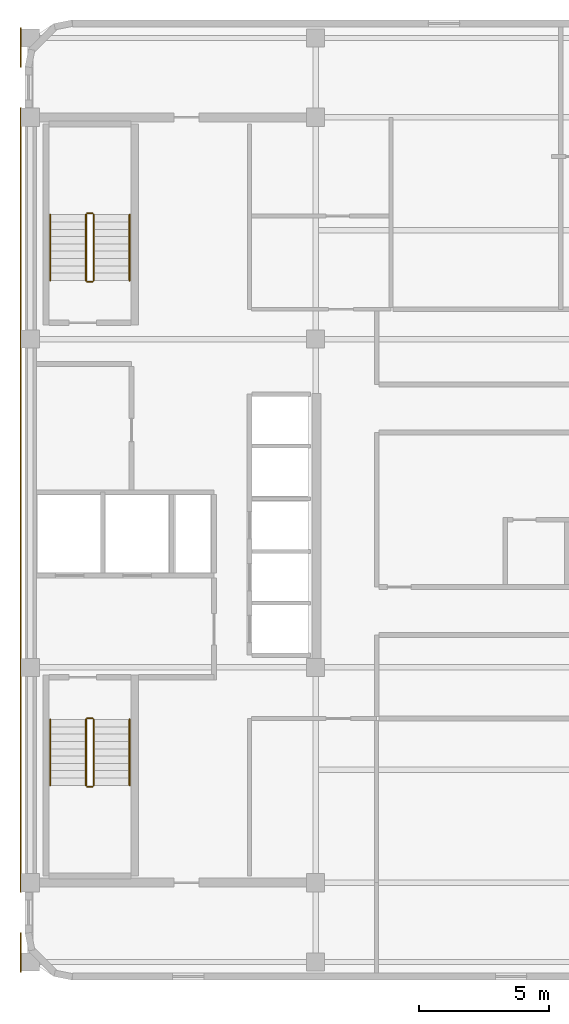
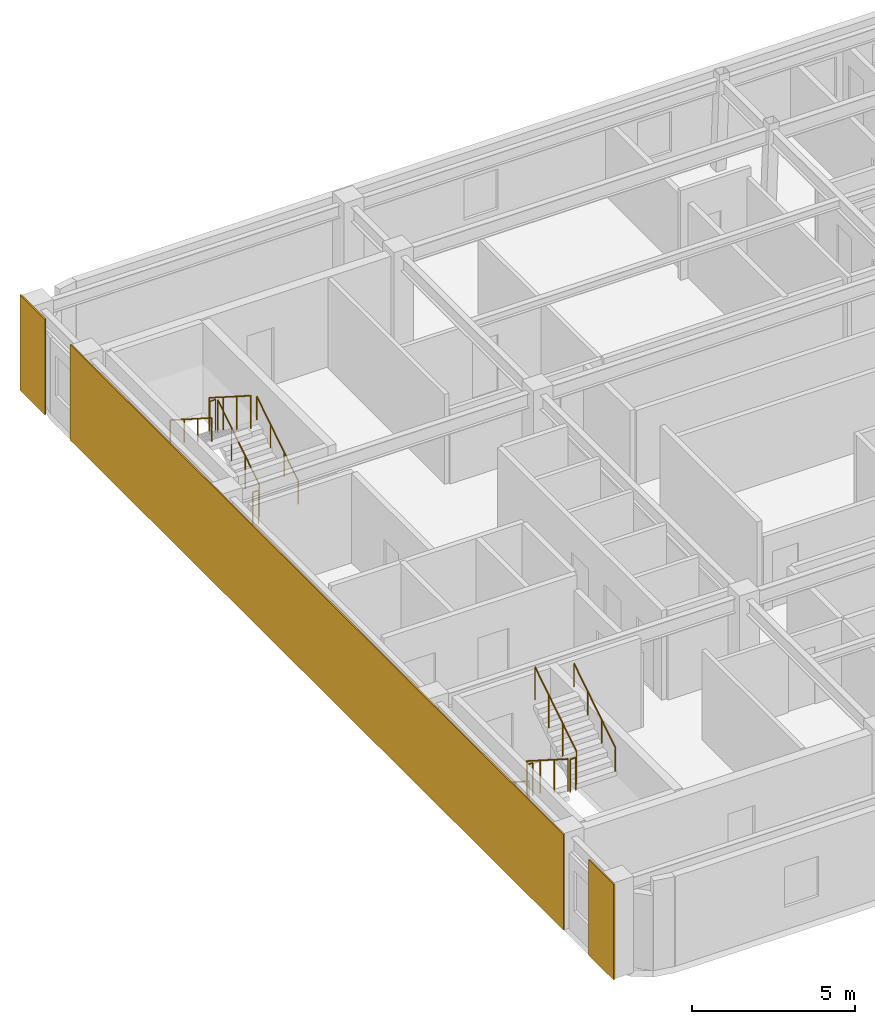
# One storey, part 7 of 7: 12 railings, 3 coverings.
"""IFC4 building model written with IfcOpenShell, lengths in metres."""

from ifc_helpers import new_model, si_unit, direction, frame, origin, origin_2d, place, context, subcontext, project, spatial, rectangle, circle, extrude, material, layer, layer_set, type_object, element, save


model = new_model("IFC4")

# Units and contexts
model_context = context("Model", 3, precision=1e-05, world=origin(), true_north=direction((0.0, 1.0)))
body_context = subcontext(model_context, "Body", "Model", "MODEL_VIEW")
ifc_project = project(units=[si_unit("LENGTHUNIT", "METRE"), si_unit("AREAUNIT", "SQUARE_METRE"), si_unit("VOLUMEUNIT", "CUBIC_METRE"), si_unit("PLANEANGLEUNIT", "RADIAN"), si_unit("MASSUNIT", "GRAM", prefix="KILO")], contexts=[model_context])

# Site, building, storey
site_placement = place(None, origin())
site = spatial("IfcSite", under=ifc_project, at=site_placement, CompositionType="ELEMENT")
building_placement = place(site_placement, origin())
building = spatial("IfcBuilding", under=site, at=building_placement, Name="Ochreholt Gables", CompositionType="ELEMENT")
storey_placement = place(building_placement, frame((0.0, 0.0, 238.800048828125)))
storey = spatial("IfcBuildingStorey", under=building, at=storey_placement, Name="L62", CompositionType="ELEMENT", Elevation=238.800048828125)

# Coverings
ifc_material_1 = material(Name="Glazed Ochre Terracotta Rainscreen Cladding", Category="masonry")
ifc_layer = layer(ifc_material_1, 0.044921875, Name="Glazed Ochre Terracotta Rainscreen Cladding")
ifc_layer_set = layer_set([ifc_layer], Name="Glazed Ochre Terracotta Rainscreen Cladding")
covering_type = type_object("IfcCoveringType", Name="COV-CLAD-TC", PredefinedType="CLADDING", material=ifc_layer_set)
covering_placement = place(storey_placement, frame((23.827880859375, 24.0, 0.010009765625), z_axis=(0.0, 0.0, 1.0), x_axis=(0.0, 1.0, 0.0)))
element("IfcCovering", 1, at=covering_placement, inside=storey, type_object=covering_type, Name="L62 West Core Terracotta Rainscreen Cladding", PredefinedType="CLADDING", context=body_context, shape_type="SweptSolid", body=[
    extrude(rectangle(XDim=30.239990234375, YDim=0.044921875, at=origin_2d()), origin(), (0.0, 0.0, 1.0), 3.580078125),
])
for number, where, z_axis, x_axis, name in (
    (2, (23.827880859375, 6.56005859375, 0.010009765625), (0.0, 0.0, 1.0), (0.0, 1.0, 0.0), "L62 South-West Pier Terracotta Cladding"),
    (3, (23.827880859375, 41.43994140625, 0.010009765625), (0.0, 0.0, 1.0), (0.0, 1.0, 0.0), "L62 North-West Pier Terracotta Cladding"),
):
    element("IfcCovering", number, at=place(storey_placement, frame(where, z_axis=z_axis, x_axis=x_axis)), inside=storey, type_object=covering_type, Name=name, PredefinedType="CLADDING", context=body_context, shape_type="SweptSolid", body=[
        extrude(rectangle(XDim=1.52001953125, YDim=0.044921875, at=origin_2d()), origin(), (0.0, 0.0, 1.0), 3.580078125),
    ])

# Railings
ifc_material_2 = material(Name="Painted Steel Stair Guardrail", Category="steel")
railing_type_1 = type_object("IfcRailingType", Name="RL-ST-GUARD", PredefinedType="GUARDRAIL", material=ifc_material_2)
railing_1_placement = place(storey_placement, frame((26.35009765625, 15.5400390625, 0.179931640625)))
element("IfcRailing", 4, at=railing_1_placement, inside=storey, type_object=railing_type_1, Name="L62 ST-1 stair guard 1", PredefinedType="GUARDRAIL", context=body_context, shape_type="SweptSolid", body=[
    extrude(circle(Radius=0.02392578125, at=origin_2d()), frame((0.0, 0.0, 1.22607421875), z_axis=(0.0, -0.842912820907, 0.538050161556), x_axis=(1.0, 0.0, 0.0)), (0.0, 0.0, 1.0), 3.010986328125),
    extrude(circle(Radius=0.02099609375, at=origin_2d()), origin(), (0.0, 0.0, 1.0), 1.201904296875),
    extrude(circle(Radius=0.02099609375, at=origin_2d()), frame((0.0, -0.845947265625, 0.5400390625)), (0.0, 0.0, 1.0), 1.201904296875),
    extrude(circle(Radius=0.02099609375, at=origin_2d()), frame((0.0, -1.692138671875, 1.080078125)), (0.0, 0.0, 1.0), 1.201904296875),
    extrude(circle(Radius=0.02099609375, at=origin_2d()), frame((0.0, -2.5380859375, 1.6201171875)), (0.0, 0.0, 1.0), 1.201904296875),
])
railing_2_placement = place(storey_placement, frame((26.39990234375, 12.951904296875, 1.800048828125)))
element("IfcRailing", 5, at=railing_2_placement, inside=storey, type_object=railing_type_1, Name="L62 ST-1 stair guard 2", PredefinedType="GUARDRAIL", context=body_context, shape_type="SweptSolid", body=[
    extrude(circle(Radius=0.02392578125, at=origin_2d()), frame((0.0, 0.0, 1.22607421875), z_axis=(1.0, 0.0, 0.0), x_axis=(0.0, 1.0, 0.0)), (0.0, 0.0, 1.0), 0.2001953125),
    extrude(circle(Radius=0.02099609375, at=origin_2d()), origin(), (0.0, 0.0, 1.0), 1.201904296875),
    extrude(circle(Radius=0.02099609375, at=origin_2d()), frame((0.2001953125, 0.0, 0.0)), (0.0, 0.0, 1.0), 1.201904296875),
])
railing_3_placement = place(storey_placement, frame((26.64990234375, 13.001953125, 1.97998046875)))
element("IfcRailing", 6, at=railing_3_placement, inside=storey, type_object=railing_type_1, Name="L62 ST-1 stair guard 3", PredefinedType="GUARDRAIL", context=body_context, shape_type="SweptSolid", body=[
    extrude(circle(Radius=0.02392578125, at=origin_2d()), frame((0.0, 0.0, 1.22607421875), z_axis=(0.0, 0.842949592929, 0.537992549931), x_axis=(-1.0, 0.0, 0.0)), (0.0, 0.0, 1.0), 3.010986328125),
    extrude(circle(Radius=0.02099609375, at=origin_2d()), origin(), (0.0, 0.0, 1.0), 1.201904296875),
    extrude(circle(Radius=0.02099609375, at=origin_2d()), frame((0.0, 0.845947265625, 0.5400390625)), (0.0, 0.0, 1.0), 1.201904296875),
    extrude(circle(Radius=0.02099609375, at=origin_2d()), frame((0.0, 1.692138671875, 1.079833984375)), (0.0, 0.0, 1.0), 1.201904296875),
    extrude(circle(Radius=0.02099609375, at=origin_2d()), frame((0.0, 2.5380859375, 1.619873046875)), (0.0, 0.0, 1.0), 1.201904296875),
])
railing_4_placement = place(storey_placement, frame((26.39990234375, 15.590087890625, 0.0)))
element("IfcRailing", 7, at=railing_4_placement, inside=storey, type_object=railing_type_1, Name="L62 ST-1 stair guard 4", PredefinedType="GUARDRAIL", context=body_context, shape_type="SweptSolid", body=[
    extrude(circle(Radius=0.02392578125, at=origin_2d()), frame((0.0, 0.0, 1.22607421875), z_axis=(1.0, 0.0, 0.0), x_axis=(0.0, 1.0, 0.0)), (0.0, 0.0, 1.0), 0.2001953125),
    extrude(circle(Radius=0.02099609375, at=origin_2d()), origin(), (0.0, 0.0, 1.0), 1.201904296875),
    extrude(circle(Radius=0.02099609375, at=origin_2d()), frame((0.2001953125, 0.0, 0.0)), (0.0, 0.0, 1.0), 1.201904296875),
])
railing_5_placement = place(storey_placement, frame((26.64990234375, 32.4599609375, 0.179931640625)))
element("IfcRailing", 8, at=railing_5_placement, inside=storey, type_object=railing_type_1, Name="L62 ST-2 stair guard 1", PredefinedType="GUARDRAIL", context=body_context, shape_type="SweptSolid", body=[
    extrude(circle(Radius=0.02392578125, at=origin_2d()), frame((0.0, 0.0, 1.22607421875), z_axis=(0.0, 0.842912820907, 0.538050161556), x_axis=(-1.0, 0.0, 0.0)), (0.0, 0.0, 1.0), 3.010986328125),
    extrude(circle(Radius=0.02099609375, at=origin_2d()), origin(), (0.0, 0.0, 1.0), 1.201904296875),
    extrude(circle(Radius=0.02099609375, at=origin_2d()), frame((0.0, 0.845947265625, 0.5400390625)), (0.0, 0.0, 1.0), 1.201904296875),
    extrude(circle(Radius=0.02099609375, at=origin_2d()), frame((0.0, 1.692138671875, 1.080078125)), (0.0, 0.0, 1.0), 1.201904296875),
    extrude(circle(Radius=0.02099609375, at=origin_2d()), frame((0.0, 2.5380859375, 1.6201171875)), (0.0, 0.0, 1.0), 1.201904296875),
])
railing_6_placement = place(storey_placement, frame((26.60009765625, 35.048095703125, 1.800048828125)))
element("IfcRailing", 9, at=railing_6_placement, inside=storey, type_object=railing_type_1, Name="L62 ST-2 stair guard 2", PredefinedType="GUARDRAIL", context=body_context, shape_type="SweptSolid", body=[
    extrude(circle(Radius=0.02392578125, at=origin_2d()), frame((0.0, 0.0, 1.22607421875), z_axis=(-1.0, 0.0, 0.0), x_axis=(0.0, -1.0, 0.0)), (0.0, 0.0, 1.0), 0.2001953125),
    extrude(circle(Radius=0.02099609375, at=origin_2d()), origin(), (0.0, 0.0, 1.0), 1.201904296875),
    extrude(circle(Radius=0.02099609375, at=origin_2d()), frame((-0.2001953125, 0.0, 0.0)), (0.0, 0.0, 1.0), 1.201904296875),
])
railing_7_placement = place(storey_placement, frame((26.35009765625, 34.998046875, 1.97998046875)))
element("IfcRailing", 10, at=railing_7_placement, inside=storey, type_object=railing_type_1, Name="L62 ST-2 stair guard 3", PredefinedType="GUARDRAIL", context=body_context, shape_type="SweptSolid", body=[
    extrude(circle(Radius=0.02392578125, at=origin_2d()), frame((0.0, 0.0, 1.22607421875), z_axis=(0.0, -0.842949592929, 0.537992549931), x_axis=(1.0, 0.0, 0.0)), (0.0, 0.0, 1.0), 3.010986328125),
    extrude(circle(Radius=0.02099609375, at=origin_2d()), origin(), (0.0, 0.0, 1.0), 1.201904296875),
    extrude(circle(Radius=0.02099609375, at=origin_2d()), frame((0.0, -0.845947265625, 0.5400390625)), (0.0, 0.0, 1.0), 1.201904296875),
    extrude(circle(Radius=0.02099609375, at=origin_2d()), frame((0.0, -1.692138671875, 1.079833984375)), (0.0, 0.0, 1.0), 1.201904296875),
    extrude(circle(Radius=0.02099609375, at=origin_2d()), frame((0.0, -2.5380859375, 1.619873046875)), (0.0, 0.0, 1.0), 1.201904296875),
])
railing_8_placement = place(storey_placement, frame((26.60009765625, 32.409912109375, 0.0)))
element("IfcRailing", 11, at=railing_8_placement, inside=storey, type_object=railing_type_1, Name="L62 ST-2 stair guard 4", PredefinedType="GUARDRAIL", context=body_context, shape_type="SweptSolid", body=[
    extrude(circle(Radius=0.02392578125, at=origin_2d()), frame((0.0, 0.0, 1.22607421875), z_axis=(-1.0, 0.0, 0.0), x_axis=(0.0, -1.0, 0.0)), (0.0, 0.0, 1.0), 0.2001953125),
    extrude(circle(Radius=0.02099609375, at=origin_2d()), origin(), (0.0, 0.0, 1.0), 1.201904296875),
    extrude(circle(Radius=0.02099609375, at=origin_2d()), frame((-0.2001953125, 0.0, 0.0)), (0.0, 0.0, 1.0), 1.201904296875),
])
ifc_material_3 = material(Name="Brushed Stainless Steel Wall Handrail", Category="steel")
railing_type_2 = type_object("IfcRailingType", Name="RL-ST-HAND", PredefinedType="HANDRAIL", material=ifc_material_3)
railing_9_placement = place(storey_placement, frame((24.969970703125, 15.5400390625, 0.179931640625)))
element("IfcRailing", 12, at=railing_9_placement, inside=storey, type_object=railing_type_2, Name="L62 ST-1 stair handrail 1", PredefinedType="HANDRAIL", context=body_context, shape_type="SweptSolid", body=[
    extrude(circle(Radius=0.02392578125, at=origin_2d()), frame((0.0, 0.0, 0.8759765625), z_axis=(0.0, -0.842912820907, 0.538050161556), x_axis=(1.0, 0.0, 0.0)), (0.0, 0.0, 1.0), 3.010986328125),
    extrude(circle(Radius=0.02099609375, at=origin_2d()), origin(), (0.0, 0.0, 1.0), 0.851806640625),
    extrude(circle(Radius=0.02099609375, at=origin_2d()), frame((0.0, -0.845947265625, 0.5400390625)), (0.0, 0.0, 1.0), 0.851806640625),
    extrude(circle(Radius=0.02099609375, at=origin_2d()), frame((0.0, -1.692138671875, 1.080078125)), (0.0, 0.0, 1.0), 0.851806640625),
    extrude(circle(Radius=0.02099609375, at=origin_2d()), frame((0.0, -2.5380859375, 1.6201171875)), (0.0, 0.0, 1.0), 0.851806640625),
])
railing_10_placement = place(storey_placement, frame((28.030029296875, 13.001953125, 1.97998046875)))
element("IfcRailing", 13, at=railing_10_placement, inside=storey, type_object=railing_type_2, Name="L62 ST-1 stair handrail 2", PredefinedType="HANDRAIL", context=body_context, shape_type="SweptSolid", body=[
    extrude(circle(Radius=0.02392578125, at=origin_2d()), frame((0.0, 0.0, 0.8759765625), z_axis=(0.0, 0.842949592929, 0.537992549931), x_axis=(-1.0, 0.0, 0.0)), (0.0, 0.0, 1.0), 3.010986328125),
    extrude(circle(Radius=0.02099609375, at=origin_2d()), origin(), (0.0, 0.0, 1.0), 0.851806640625),
    extrude(circle(Radius=0.02099609375, at=origin_2d()), frame((0.0, 0.845947265625, 0.5400390625)), (0.0, 0.0, 1.0), 0.851806640625),
    extrude(circle(Radius=0.02099609375, at=origin_2d()), frame((0.0, 1.692138671875, 1.079833984375)), (0.0, 0.0, 1.0), 0.851806640625),
    extrude(circle(Radius=0.02099609375, at=origin_2d()), frame((0.0, 2.5380859375, 1.619873046875)), (0.0, 0.0, 1.0), 0.851806640625),
])
railing_11_placement = place(storey_placement, frame((28.030029296875, 32.4599609375, 0.179931640625)))
element("IfcRailing", 14, at=railing_11_placement, inside=storey, type_object=railing_type_2, Name="L62 ST-2 stair handrail 1", PredefinedType="HANDRAIL", context=body_context, shape_type="SweptSolid", body=[
    extrude(circle(Radius=0.02392578125, at=origin_2d()), frame((0.0, 0.0, 0.8759765625), z_axis=(0.0, 0.842912820907, 0.538050161556), x_axis=(-1.0, 0.0, 0.0)), (0.0, 0.0, 1.0), 3.010986328125),
    extrude(circle(Radius=0.02099609375, at=origin_2d()), origin(), (0.0, 0.0, 1.0), 0.851806640625),
    extrude(circle(Radius=0.02099609375, at=origin_2d()), frame((0.0, 0.845947265625, 0.5400390625)), (0.0, 0.0, 1.0), 0.851806640625),
    extrude(circle(Radius=0.02099609375, at=origin_2d()), frame((0.0, 1.692138671875, 1.080078125)), (0.0, 0.0, 1.0), 0.851806640625),
    extrude(circle(Radius=0.02099609375, at=origin_2d()), frame((0.0, 2.5380859375, 1.6201171875)), (0.0, 0.0, 1.0), 0.851806640625),
])
railing_12_placement = place(storey_placement, frame((24.969970703125, 34.998046875, 1.97998046875)))
element("IfcRailing", 15, at=railing_12_placement, inside=storey, type_object=railing_type_2, Name="L62 ST-2 stair handrail 2", PredefinedType="HANDRAIL", context=body_context, shape_type="SweptSolid", body=[
    extrude(circle(Radius=0.02392578125, at=origin_2d()), frame((0.0, 0.0, 0.8759765625), z_axis=(0.0, -0.842949592929, 0.537992549931), x_axis=(1.0, 0.0, 0.0)), (0.0, 0.0, 1.0), 3.010986328125),
    extrude(circle(Radius=0.02099609375, at=origin_2d()), origin(), (0.0, 0.0, 1.0), 0.851806640625),
    extrude(circle(Radius=0.02099609375, at=origin_2d()), frame((0.0, -0.845947265625, 0.5400390625)), (0.0, 0.0, 1.0), 0.851806640625),
    extrude(circle(Radius=0.02099609375, at=origin_2d()), frame((0.0, -1.692138671875, 1.079833984375)), (0.0, 0.0, 1.0), 0.851806640625),
    extrude(circle(Radius=0.02099609375, at=origin_2d()), frame((0.0, -2.5380859375, 1.619873046875)), (0.0, 0.0, 1.0), 0.851806640625),
])

save(model, "model.ifc")
